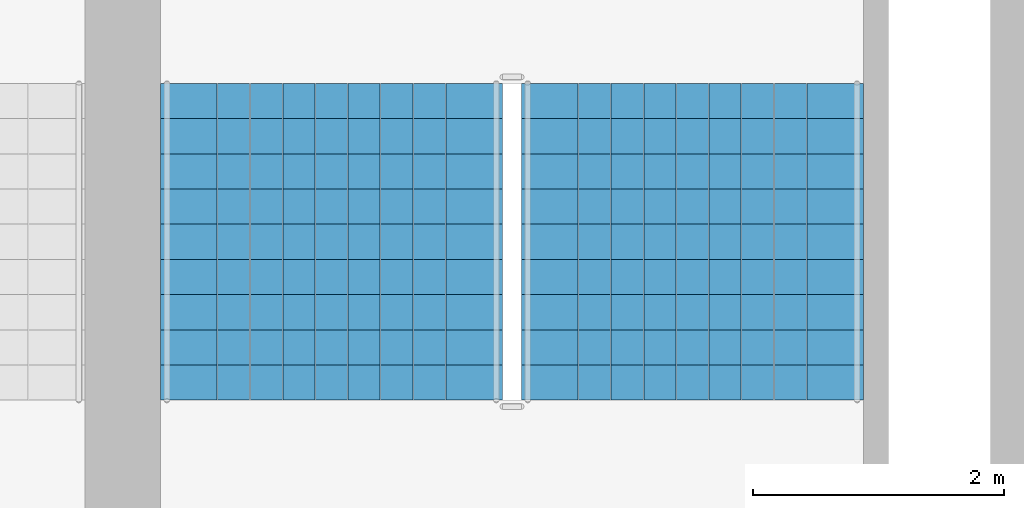
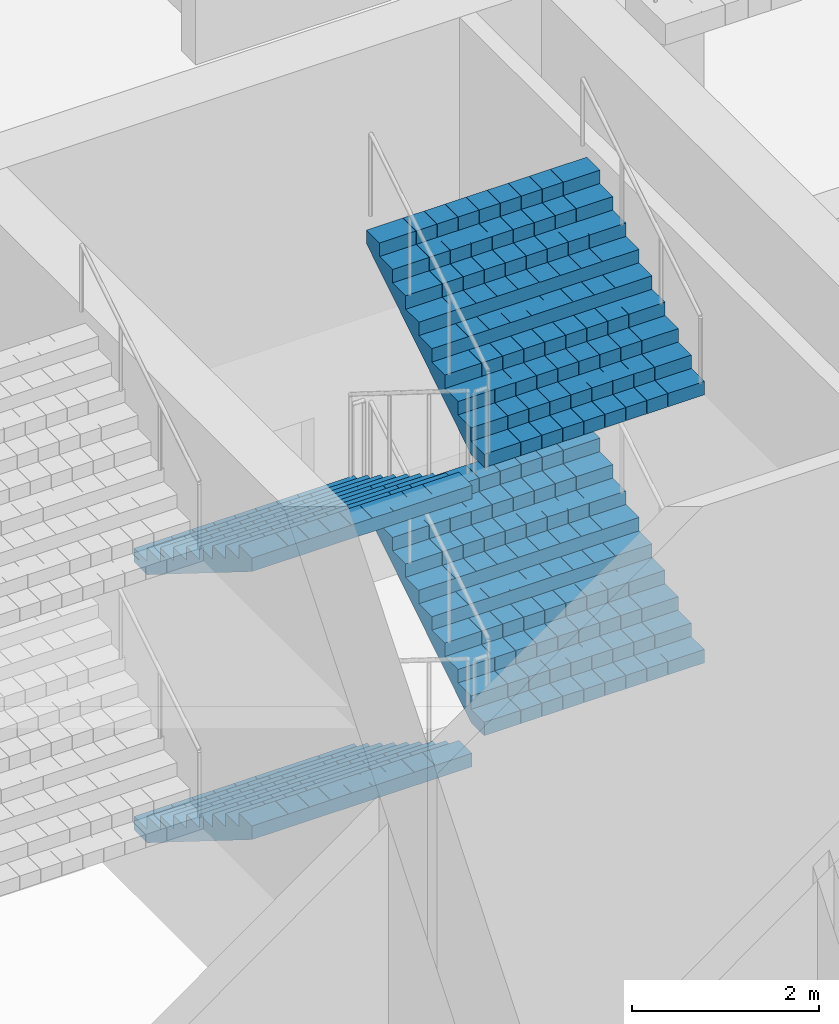
# One storey, part 42 of 62: 4 stair flights, 1 element without a shape of its own.
"""IFC4 building model written with IfcOpenShell, lengths in metres."""

from ifc_helpers import new_model, si_unit, direction, frame, origin, place, context, subcontext, project, spatial, polyline, outline, extrude, material, type_object, element, aggregate, save


model = new_model("IFC4")

# Units and contexts
model_context = context("Model", 3, precision=1e-05, world=origin(), true_north=direction((0.0, 1.0)))
body_context = subcontext(model_context, "Body", "Model", "MODEL_VIEW")
ifc_project = project(units=[si_unit("LENGTHUNIT", "METRE"), si_unit("AREAUNIT", "SQUARE_METRE"), si_unit("VOLUMEUNIT", "CUBIC_METRE"), si_unit("PLANEANGLEUNIT", "RADIAN"), si_unit("MASSUNIT", "GRAM", prefix="KILO")], contexts=[model_context])

# Site, building, storey
site_placement = place(None, origin())
site = spatial("IfcSite", under=ifc_project, at=site_placement, CompositionType="ELEMENT")
building_placement = place(site_placement, origin())
building = spatial("IfcBuilding", under=site, at=building_placement, Name="Corbelhall Arena Tower", CompositionType="ELEMENT")
storey_placement = place(building_placement, frame((0.0, 0.0, 12.0)))
storey = spatial("IfcBuildingStorey", under=building, at=storey_placement, Name="L01", CompositionType="ELEMENT", Elevation=12.0)

# Stair, stair flights
ifc_material = material(Name="Reinforced concrete C40/50", Category="concrete")
stair_type = type_object("IfcStairType", Name="AR-EXIT-STAIR", PredefinedType="HALF_TURN_STAIR", material=ifc_material)
stair_placement = place(storey_placement, origin())
stair = element("IfcStair", 1, at=stair_placement, inside=storey, type_object=stair_type, Name="L01 exit stair AS7", PredefinedType="HALF_TURN_STAIR")
stair_flight_type = type_object("IfcStairFlightType", Name="AR-EXIT-FLIGHT", PredefinedType="STRAIGHT", material=ifc_material)
stair_flight_1_placement = place(storey_placement, frame((-38.840087890625, -27.320068359375, 0.0), z_axis=(0.0, 0.0, 1.0), x_axis=(0.0, -1.0, 0.0)))
stair_flight_1 = element("IfcStairFlight", 2, at=stair_flight_1_placement, type_object=stair_flight_type, Name="AS7 flight 1", NumberOfRisers=10, NumberOfTreads=9, PredefinedType="STRAIGHT", RiserHeight=0.175, TreadLength=0.28, context=body_context, shape_type="SweptSolid", body=[
    extrude(outline(polyline([(0.0, 0.0), (0.0, 0.175048828125), (0.280029296875, 0.175048828125), (0.280029296875, 0.35009765625), (0.56005859375, 0.35009765625), (0.56005859375, 0.52490234375), (0.840087890625, 0.52490234375), (0.840087890625, 0.699951171875), (1.1201171875, 0.699951171875), (1.1201171875, 0.875), (1.39990234375, 0.875), (1.39990234375, 1.050048828125), (1.679931640625, 1.050048828125), (1.679931640625, 1.22509765625), (1.9599609375, 1.22509765625), (1.9599609375, 1.39990234375), (2.239990234375, 1.39990234375), (2.239990234375, 1.574951171875), (2.52001953125, 1.574951171875), (2.52001953125, 1.75), (2.52001953125, 1.398193359375), (0.28271484375, 0.0), (0.0, 0.0)])), frame((0.0, 1.35986328125, 0.0), z_axis=(0.0, -1.0, 0.0), x_axis=(1.0, 0.0, 0.0)), (0.0, 0.0, 1.0), 0.449951171875),
    extrude(outline(polyline([(0.0, 0.0), (0.0, 0.175048828125), (0.280029296875, 0.175048828125), (0.280029296875, 0.35009765625), (0.56005859375, 0.35009765625), (0.56005859375, 0.52490234375), (0.840087890625, 0.52490234375), (0.840087890625, 0.699951171875), (1.1201171875, 0.699951171875), (1.1201171875, 0.875), (1.39990234375, 0.875), (1.39990234375, 1.050048828125), (1.679931640625, 1.050048828125), (1.679931640625, 1.22509765625), (1.9599609375, 1.22509765625), (1.9599609375, 1.39990234375), (2.239990234375, 1.39990234375), (2.239990234375, 1.574951171875), (2.52001953125, 1.574951171875), (2.52001953125, 1.75), (2.52001953125, 1.398193359375), (0.28271484375, 0.0), (0.0, 0.0)])), frame((0.0, 0.906005859375, 0.0), z_axis=(0.0, -1.0, 0.0), x_axis=(1.0, 0.0, 0.0)), (0.0, 0.0, 1.0), 0.25537109375),
    extrude(outline(polyline([(0.0, 0.0), (0.0, 0.175048828125), (0.280029296875, 0.175048828125), (0.280029296875, 0.35009765625), (0.56005859375, 0.35009765625), (0.56005859375, 0.52490234375), (0.840087890625, 0.52490234375), (0.840087890625, 0.699951171875), (1.1201171875, 0.699951171875), (1.1201171875, 0.875), (1.39990234375, 0.875), (1.39990234375, 1.050048828125), (1.679931640625, 1.050048828125), (1.679931640625, 1.22509765625), (1.9599609375, 1.22509765625), (1.9599609375, 1.39990234375), (2.239990234375, 1.39990234375), (2.239990234375, 1.574951171875), (2.52001953125, 1.574951171875), (2.52001953125, 1.75), (2.52001953125, 1.398193359375), (0.28271484375, 0.0), (0.0, 0.0)])), frame((0.0, 0.646484375, 0.0), z_axis=(0.0, -1.0, 0.0), x_axis=(1.0, 0.0, 0.0)), (0.0, 0.0, 1.0), 0.25537109375),
    extrude(outline(polyline([(0.0, 0.0), (0.0, 0.175048828125), (0.280029296875, 0.175048828125), (0.280029296875, 0.35009765625), (0.56005859375, 0.35009765625), (0.56005859375, 0.52490234375), (0.840087890625, 0.52490234375), (0.840087890625, 0.699951171875), (1.1201171875, 0.699951171875), (1.1201171875, 0.875), (1.39990234375, 0.875), (1.39990234375, 1.050048828125), (1.679931640625, 1.050048828125), (1.679931640625, 1.22509765625), (1.9599609375, 1.22509765625), (1.9599609375, 1.39990234375), (2.239990234375, 1.39990234375), (2.239990234375, 1.574951171875), (2.52001953125, 1.574951171875), (2.52001953125, 1.75), (2.52001953125, 1.398193359375), (0.28271484375, 0.0), (0.0, 0.0)])), frame((0.0, 0.38720703125, 0.0), z_axis=(0.0, -1.0, 0.0), x_axis=(1.0, 0.0, 0.0)), (0.0, 0.0, 1.0), 0.25537109375),
    extrude(outline(polyline([(0.0, 0.0), (0.0, 0.175048828125), (0.280029296875, 0.175048828125), (0.280029296875, 0.35009765625), (0.56005859375, 0.35009765625), (0.56005859375, 0.52490234375), (0.840087890625, 0.52490234375), (0.840087890625, 0.699951171875), (1.1201171875, 0.699951171875), (1.1201171875, 0.875), (1.39990234375, 0.875), (1.39990234375, 1.050048828125), (1.679931640625, 1.050048828125), (1.679931640625, 1.22509765625), (1.9599609375, 1.22509765625), (1.9599609375, 1.39990234375), (2.239990234375, 1.39990234375), (2.239990234375, 1.574951171875), (2.52001953125, 1.574951171875), (2.52001953125, 1.75), (2.52001953125, 1.398193359375), (0.28271484375, 0.0), (0.0, 0.0)])), frame((0.0, 0.127685546875, 0.0), z_axis=(0.0, -1.0, 0.0), x_axis=(1.0, 0.0, 0.0)), (0.0, 0.0, 1.0), 0.25537109375),
    extrude(outline(polyline([(0.0, 0.0), (0.0, 0.175048828125), (0.280029296875, 0.175048828125), (0.280029296875, 0.35009765625), (0.56005859375, 0.35009765625), (0.56005859375, 0.52490234375), (0.840087890625, 0.52490234375), (0.840087890625, 0.699951171875), (1.1201171875, 0.699951171875), (1.1201171875, 0.875), (1.39990234375, 0.875), (1.39990234375, 1.050048828125), (1.679931640625, 1.050048828125), (1.679931640625, 1.22509765625), (1.9599609375, 1.22509765625), (1.9599609375, 1.39990234375), (2.239990234375, 1.39990234375), (2.239990234375, 1.574951171875), (2.52001953125, 1.574951171875), (2.52001953125, 1.75), (2.52001953125, 1.398193359375), (0.28271484375, 0.0), (0.0, 0.0)])), frame((0.0, -0.131591796875, 0.0), z_axis=(0.0, -1.0, 0.0), x_axis=(1.0, 0.0, 0.0)), (0.0, 0.0, 1.0), 0.25537109375),
    extrude(outline(polyline([(0.0, 0.0), (0.0, 0.175048828125), (0.280029296875, 0.175048828125), (0.280029296875, 0.35009765625), (0.56005859375, 0.35009765625), (0.56005859375, 0.52490234375), (0.840087890625, 0.52490234375), (0.840087890625, 0.699951171875), (1.1201171875, 0.699951171875), (1.1201171875, 0.875), (1.39990234375, 0.875), (1.39990234375, 1.050048828125), (1.679931640625, 1.050048828125), (1.679931640625, 1.22509765625), (1.9599609375, 1.22509765625), (1.9599609375, 1.39990234375), (2.239990234375, 1.39990234375), (2.239990234375, 1.574951171875), (2.52001953125, 1.574951171875), (2.52001953125, 1.75), (2.52001953125, 1.398193359375), (0.28271484375, 0.0), (0.0, 0.0)])), frame((0.0, -0.39111328125, 0.0), z_axis=(0.0, -1.0, 0.0), x_axis=(1.0, 0.0, 0.0)), (0.0, 0.0, 1.0), 0.25537109375),
    extrude(outline(polyline([(0.0, 0.0), (0.0, 0.175048828125), (0.280029296875, 0.175048828125), (0.280029296875, 0.35009765625), (0.56005859375, 0.35009765625), (0.56005859375, 0.52490234375), (0.840087890625, 0.52490234375), (0.840087890625, 0.699951171875), (1.1201171875, 0.699951171875), (1.1201171875, 0.875), (1.39990234375, 0.875), (1.39990234375, 1.050048828125), (1.679931640625, 1.050048828125), (1.679931640625, 1.22509765625), (1.9599609375, 1.22509765625), (1.9599609375, 1.39990234375), (2.239990234375, 1.39990234375), (2.239990234375, 1.574951171875), (2.52001953125, 1.574951171875), (2.52001953125, 1.75), (2.52001953125, 1.398193359375), (0.28271484375, 0.0), (0.0, 0.0)])), frame((0.0, -0.650634765625, 0.0), z_axis=(0.0, -1.0, 0.0), x_axis=(1.0, 0.0, 0.0)), (0.0, 0.0, 1.0), 0.25537109375),
    extrude(outline(polyline([(0.0, 0.0), (0.0, 0.175048828125), (0.280029296875, 0.175048828125), (0.280029296875, 0.35009765625), (0.56005859375, 0.35009765625), (0.56005859375, 0.52490234375), (0.840087890625, 0.52490234375), (0.840087890625, 0.699951171875), (1.1201171875, 0.699951171875), (1.1201171875, 0.875), (1.39990234375, 0.875), (1.39990234375, 1.050048828125), (1.679931640625, 1.050048828125), (1.679931640625, 1.22509765625), (1.9599609375, 1.22509765625), (1.9599609375, 1.39990234375), (2.239990234375, 1.39990234375), (2.239990234375, 1.574951171875), (2.52001953125, 1.574951171875), (2.52001953125, 1.75), (2.52001953125, 1.398193359375), (0.28271484375, 0.0), (0.0, 0.0)])), frame((0.0, -0.909912109375, 0.0), z_axis=(0.0, -1.0, 0.0), x_axis=(1.0, 0.0, 0.0)), (0.0, 0.0, 1.0), 0.449951171875),
])
stair_flight_2_placement = place(storey_placement, frame((-35.969970703125, -29.840087890625, 1.75), z_axis=(0.0, 0.0, 1.0), x_axis=(0.0, 1.0, 0.0)))
stair_flight_2 = element("IfcStairFlight", 3, at=stair_flight_2_placement, type_object=stair_flight_type, Name="AS7 flight 2", NumberOfRisers=10, NumberOfTreads=9, PredefinedType="STRAIGHT", RiserHeight=0.175, TreadLength=0.28, context=body_context, shape_type="SweptSolid", body=[
    extrude(outline(polyline([(0.0, 0.0), (0.0, 0.175048828125), (0.280029296875, 0.175048828125), (0.280029296875, 0.35009765625), (0.56005859375, 0.35009765625), (0.56005859375, 0.52490234375), (0.840087890625, 0.52490234375), (0.840087890625, 0.699951171875), (1.1201171875, 0.699951171875), (1.1201171875, 0.875), (1.39990234375, 0.875), (1.39990234375, 1.050048828125), (1.679931640625, 1.050048828125), (1.679931640625, 1.22509765625), (1.9599609375, 1.22509765625), (1.9599609375, 1.39990234375), (2.239990234375, 1.39990234375), (2.239990234375, 1.574951171875), (2.52001953125, 1.574951171875), (2.52001953125, 1.75), (2.52001953125, 1.398193359375), (0.28271484375, 0.0), (0.0, 0.0)])), frame((0.0, 1.35986328125, 0.0), z_axis=(0.0, -1.0, 0.0), x_axis=(1.0, 0.0, 0.0)), (0.0, 0.0, 1.0), 0.449951171875),
    extrude(outline(polyline([(0.0, 0.0), (0.0, 0.175048828125), (0.280029296875, 0.175048828125), (0.280029296875, 0.35009765625), (0.56005859375, 0.35009765625), (0.56005859375, 0.52490234375), (0.840087890625, 0.52490234375), (0.840087890625, 0.699951171875), (1.1201171875, 0.699951171875), (1.1201171875, 0.875), (1.39990234375, 0.875), (1.39990234375, 1.050048828125), (1.679931640625, 1.050048828125), (1.679931640625, 1.22509765625), (1.9599609375, 1.22509765625), (1.9599609375, 1.39990234375), (2.239990234375, 1.39990234375), (2.239990234375, 1.574951171875), (2.52001953125, 1.574951171875), (2.52001953125, 1.75), (2.52001953125, 1.398193359375), (0.28271484375, 0.0), (0.0, 0.0)])), frame((0.0, 0.906005859375, 0.0), z_axis=(0.0, -1.0, 0.0), x_axis=(1.0, 0.0, 0.0)), (0.0, 0.0, 1.0), 0.25537109375),
    extrude(outline(polyline([(0.0, 0.0), (0.0, 0.175048828125), (0.280029296875, 0.175048828125), (0.280029296875, 0.35009765625), (0.56005859375, 0.35009765625), (0.56005859375, 0.52490234375), (0.840087890625, 0.52490234375), (0.840087890625, 0.699951171875), (1.1201171875, 0.699951171875), (1.1201171875, 0.875), (1.39990234375, 0.875), (1.39990234375, 1.050048828125), (1.679931640625, 1.050048828125), (1.679931640625, 1.22509765625), (1.9599609375, 1.22509765625), (1.9599609375, 1.39990234375), (2.239990234375, 1.39990234375), (2.239990234375, 1.574951171875), (2.52001953125, 1.574951171875), (2.52001953125, 1.75), (2.52001953125, 1.398193359375), (0.28271484375, 0.0), (0.0, 0.0)])), frame((0.0, 0.646484375, 0.0), z_axis=(0.0, -1.0, 0.0), x_axis=(1.0, 0.0, 0.0)), (0.0, 0.0, 1.0), 0.25537109375),
    extrude(outline(polyline([(0.0, 0.0), (0.0, 0.175048828125), (0.280029296875, 0.175048828125), (0.280029296875, 0.35009765625), (0.56005859375, 0.35009765625), (0.56005859375, 0.52490234375), (0.840087890625, 0.52490234375), (0.840087890625, 0.699951171875), (1.1201171875, 0.699951171875), (1.1201171875, 0.875), (1.39990234375, 0.875), (1.39990234375, 1.050048828125), (1.679931640625, 1.050048828125), (1.679931640625, 1.22509765625), (1.9599609375, 1.22509765625), (1.9599609375, 1.39990234375), (2.239990234375, 1.39990234375), (2.239990234375, 1.574951171875), (2.52001953125, 1.574951171875), (2.52001953125, 1.75), (2.52001953125, 1.398193359375), (0.28271484375, 0.0), (0.0, 0.0)])), frame((0.0, 0.38720703125, 0.0), z_axis=(0.0, -1.0, 0.0), x_axis=(1.0, 0.0, 0.0)), (0.0, 0.0, 1.0), 0.25537109375),
    extrude(outline(polyline([(0.0, 0.0), (0.0, 0.175048828125), (0.280029296875, 0.175048828125), (0.280029296875, 0.35009765625), (0.56005859375, 0.35009765625), (0.56005859375, 0.52490234375), (0.840087890625, 0.52490234375), (0.840087890625, 0.699951171875), (1.1201171875, 0.699951171875), (1.1201171875, 0.875), (1.39990234375, 0.875), (1.39990234375, 1.050048828125), (1.679931640625, 1.050048828125), (1.679931640625, 1.22509765625), (1.9599609375, 1.22509765625), (1.9599609375, 1.39990234375), (2.239990234375, 1.39990234375), (2.239990234375, 1.574951171875), (2.52001953125, 1.574951171875), (2.52001953125, 1.75), (2.52001953125, 1.398193359375), (0.28271484375, 0.0), (0.0, 0.0)])), frame((0.0, 0.127685546875, 0.0), z_axis=(0.0, -1.0, 0.0), x_axis=(1.0, 0.0, 0.0)), (0.0, 0.0, 1.0), 0.25537109375),
    extrude(outline(polyline([(0.0, 0.0), (0.0, 0.175048828125), (0.280029296875, 0.175048828125), (0.280029296875, 0.35009765625), (0.56005859375, 0.35009765625), (0.56005859375, 0.52490234375), (0.840087890625, 0.52490234375), (0.840087890625, 0.699951171875), (1.1201171875, 0.699951171875), (1.1201171875, 0.875), (1.39990234375, 0.875), (1.39990234375, 1.050048828125), (1.679931640625, 1.050048828125), (1.679931640625, 1.22509765625), (1.9599609375, 1.22509765625), (1.9599609375, 1.39990234375), (2.239990234375, 1.39990234375), (2.239990234375, 1.574951171875), (2.52001953125, 1.574951171875), (2.52001953125, 1.75), (2.52001953125, 1.398193359375), (0.28271484375, 0.0), (0.0, 0.0)])), frame((0.0, -0.131591796875, 0.0), z_axis=(0.0, -1.0, 0.0), x_axis=(1.0, 0.0, 0.0)), (0.0, 0.0, 1.0), 0.25537109375),
    extrude(outline(polyline([(0.0, 0.0), (0.0, 0.175048828125), (0.280029296875, 0.175048828125), (0.280029296875, 0.35009765625), (0.56005859375, 0.35009765625), (0.56005859375, 0.52490234375), (0.840087890625, 0.52490234375), (0.840087890625, 0.699951171875), (1.1201171875, 0.699951171875), (1.1201171875, 0.875), (1.39990234375, 0.875), (1.39990234375, 1.050048828125), (1.679931640625, 1.050048828125), (1.679931640625, 1.22509765625), (1.9599609375, 1.22509765625), (1.9599609375, 1.39990234375), (2.239990234375, 1.39990234375), (2.239990234375, 1.574951171875), (2.52001953125, 1.574951171875), (2.52001953125, 1.75), (2.52001953125, 1.398193359375), (0.28271484375, 0.0), (0.0, 0.0)])), frame((0.0, -0.39111328125, 0.0), z_axis=(0.0, -1.0, 0.0), x_axis=(1.0, 0.0, 0.0)), (0.0, 0.0, 1.0), 0.25537109375),
    extrude(outline(polyline([(0.0, 0.0), (0.0, 0.175048828125), (0.280029296875, 0.175048828125), (0.280029296875, 0.35009765625), (0.56005859375, 0.35009765625), (0.56005859375, 0.52490234375), (0.840087890625, 0.52490234375), (0.840087890625, 0.699951171875), (1.1201171875, 0.699951171875), (1.1201171875, 0.875), (1.39990234375, 0.875), (1.39990234375, 1.050048828125), (1.679931640625, 1.050048828125), (1.679931640625, 1.22509765625), (1.9599609375, 1.22509765625), (1.9599609375, 1.39990234375), (2.239990234375, 1.39990234375), (2.239990234375, 1.574951171875), (2.52001953125, 1.574951171875), (2.52001953125, 1.75), (2.52001953125, 1.398193359375), (0.28271484375, 0.0), (0.0, 0.0)])), frame((0.0, -0.650634765625, 0.0), z_axis=(0.0, -1.0, 0.0), x_axis=(1.0, 0.0, 0.0)), (0.0, 0.0, 1.0), 0.25537109375),
    extrude(outline(polyline([(0.0, 0.0), (0.0, 0.175048828125), (0.280029296875, 0.175048828125), (0.280029296875, 0.35009765625), (0.56005859375, 0.35009765625), (0.56005859375, 0.52490234375), (0.840087890625, 0.52490234375), (0.840087890625, 0.699951171875), (1.1201171875, 0.699951171875), (1.1201171875, 0.875), (1.39990234375, 0.875), (1.39990234375, 1.050048828125), (1.679931640625, 1.050048828125), (1.679931640625, 1.22509765625), (1.9599609375, 1.22509765625), (1.9599609375, 1.39990234375), (2.239990234375, 1.39990234375), (2.239990234375, 1.574951171875), (2.52001953125, 1.574951171875), (2.52001953125, 1.75), (2.52001953125, 1.398193359375), (0.28271484375, 0.0), (0.0, 0.0)])), frame((0.0, -0.909912109375, 0.0), z_axis=(0.0, -1.0, 0.0), x_axis=(1.0, 0.0, 0.0)), (0.0, 0.0, 1.0), 0.449951171875),
])
stair_flight_3_placement = place(storey_placement, frame((-38.840087890625, -27.320068359375, 3.5), z_axis=(0.0, 0.0, 1.0), x_axis=(0.0, -1.0, 0.0)))
stair_flight_3 = element("IfcStairFlight", 4, at=stair_flight_3_placement, type_object=stair_flight_type, Name="AS7 flight 3", NumberOfRisers=10, NumberOfTreads=9, PredefinedType="STRAIGHT", RiserHeight=0.175, TreadLength=0.28, context=body_context, shape_type="SweptSolid", body=[
    extrude(outline(polyline([(0.0, 0.0), (0.0, 0.175048828125), (0.280029296875, 0.175048828125), (0.280029296875, 0.35009765625), (0.56005859375, 0.35009765625), (0.56005859375, 0.52490234375), (0.840087890625, 0.52490234375), (0.840087890625, 0.699951171875), (1.1201171875, 0.699951171875), (1.1201171875, 0.875), (1.39990234375, 0.875), (1.39990234375, 1.050048828125), (1.679931640625, 1.050048828125), (1.679931640625, 1.22509765625), (1.9599609375, 1.22509765625), (1.9599609375, 1.39990234375), (2.239990234375, 1.39990234375), (2.239990234375, 1.574951171875), (2.52001953125, 1.574951171875), (2.52001953125, 1.75), (2.52001953125, 1.398193359375), (0.28271484375, 0.0), (0.0, 0.0)])), frame((0.0, 1.35986328125, 0.0), z_axis=(0.0, -1.0, 0.0), x_axis=(1.0, 0.0, 0.0)), (0.0, 0.0, 1.0), 0.449951171875),
    extrude(outline(polyline([(0.0, 0.0), (0.0, 0.175048828125), (0.280029296875, 0.175048828125), (0.280029296875, 0.35009765625), (0.56005859375, 0.35009765625), (0.56005859375, 0.52490234375), (0.840087890625, 0.52490234375), (0.840087890625, 0.699951171875), (1.1201171875, 0.699951171875), (1.1201171875, 0.875), (1.39990234375, 0.875), (1.39990234375, 1.050048828125), (1.679931640625, 1.050048828125), (1.679931640625, 1.22509765625), (1.9599609375, 1.22509765625), (1.9599609375, 1.39990234375), (2.239990234375, 1.39990234375), (2.239990234375, 1.574951171875), (2.52001953125, 1.574951171875), (2.52001953125, 1.75), (2.52001953125, 1.398193359375), (0.28271484375, 0.0), (0.0, 0.0)])), frame((0.0, 0.906005859375, 0.0), z_axis=(0.0, -1.0, 0.0), x_axis=(1.0, 0.0, 0.0)), (0.0, 0.0, 1.0), 0.25537109375),
    extrude(outline(polyline([(0.0, 0.0), (0.0, 0.175048828125), (0.280029296875, 0.175048828125), (0.280029296875, 0.35009765625), (0.56005859375, 0.35009765625), (0.56005859375, 0.52490234375), (0.840087890625, 0.52490234375), (0.840087890625, 0.699951171875), (1.1201171875, 0.699951171875), (1.1201171875, 0.875), (1.39990234375, 0.875), (1.39990234375, 1.050048828125), (1.679931640625, 1.050048828125), (1.679931640625, 1.22509765625), (1.9599609375, 1.22509765625), (1.9599609375, 1.39990234375), (2.239990234375, 1.39990234375), (2.239990234375, 1.574951171875), (2.52001953125, 1.574951171875), (2.52001953125, 1.75), (2.52001953125, 1.398193359375), (0.28271484375, 0.0), (0.0, 0.0)])), frame((0.0, 0.646484375, 0.0), z_axis=(0.0, -1.0, 0.0), x_axis=(1.0, 0.0, 0.0)), (0.0, 0.0, 1.0), 0.25537109375),
    extrude(outline(polyline([(0.0, 0.0), (0.0, 0.175048828125), (0.280029296875, 0.175048828125), (0.280029296875, 0.35009765625), (0.56005859375, 0.35009765625), (0.56005859375, 0.52490234375), (0.840087890625, 0.52490234375), (0.840087890625, 0.699951171875), (1.1201171875, 0.699951171875), (1.1201171875, 0.875), (1.39990234375, 0.875), (1.39990234375, 1.050048828125), (1.679931640625, 1.050048828125), (1.679931640625, 1.22509765625), (1.9599609375, 1.22509765625), (1.9599609375, 1.39990234375), (2.239990234375, 1.39990234375), (2.239990234375, 1.574951171875), (2.52001953125, 1.574951171875), (2.52001953125, 1.75), (2.52001953125, 1.398193359375), (0.28271484375, 0.0), (0.0, 0.0)])), frame((0.0, 0.38720703125, 0.0), z_axis=(0.0, -1.0, 0.0), x_axis=(1.0, 0.0, 0.0)), (0.0, 0.0, 1.0), 0.25537109375),
    extrude(outline(polyline([(0.0, 0.0), (0.0, 0.175048828125), (0.280029296875, 0.175048828125), (0.280029296875, 0.35009765625), (0.56005859375, 0.35009765625), (0.56005859375, 0.52490234375), (0.840087890625, 0.52490234375), (0.840087890625, 0.699951171875), (1.1201171875, 0.699951171875), (1.1201171875, 0.875), (1.39990234375, 0.875), (1.39990234375, 1.050048828125), (1.679931640625, 1.050048828125), (1.679931640625, 1.22509765625), (1.9599609375, 1.22509765625), (1.9599609375, 1.39990234375), (2.239990234375, 1.39990234375), (2.239990234375, 1.574951171875), (2.52001953125, 1.574951171875), (2.52001953125, 1.75), (2.52001953125, 1.398193359375), (0.28271484375, 0.0), (0.0, 0.0)])), frame((0.0, 0.127685546875, 0.0), z_axis=(0.0, -1.0, 0.0), x_axis=(1.0, 0.0, 0.0)), (0.0, 0.0, 1.0), 0.25537109375),
    extrude(outline(polyline([(0.0, 0.0), (0.0, 0.175048828125), (0.280029296875, 0.175048828125), (0.280029296875, 0.35009765625), (0.56005859375, 0.35009765625), (0.56005859375, 0.52490234375), (0.840087890625, 0.52490234375), (0.840087890625, 0.699951171875), (1.1201171875, 0.699951171875), (1.1201171875, 0.875), (1.39990234375, 0.875), (1.39990234375, 1.050048828125), (1.679931640625, 1.050048828125), (1.679931640625, 1.22509765625), (1.9599609375, 1.22509765625), (1.9599609375, 1.39990234375), (2.239990234375, 1.39990234375), (2.239990234375, 1.574951171875), (2.52001953125, 1.574951171875), (2.52001953125, 1.75), (2.52001953125, 1.398193359375), (0.28271484375, 0.0), (0.0, 0.0)])), frame((0.0, -0.131591796875, 0.0), z_axis=(0.0, -1.0, 0.0), x_axis=(1.0, 0.0, 0.0)), (0.0, 0.0, 1.0), 0.25537109375),
    extrude(outline(polyline([(0.0, 0.0), (0.0, 0.175048828125), (0.280029296875, 0.175048828125), (0.280029296875, 0.35009765625), (0.56005859375, 0.35009765625), (0.56005859375, 0.52490234375), (0.840087890625, 0.52490234375), (0.840087890625, 0.699951171875), (1.1201171875, 0.699951171875), (1.1201171875, 0.875), (1.39990234375, 0.875), (1.39990234375, 1.050048828125), (1.679931640625, 1.050048828125), (1.679931640625, 1.22509765625), (1.9599609375, 1.22509765625), (1.9599609375, 1.39990234375), (2.239990234375, 1.39990234375), (2.239990234375, 1.574951171875), (2.52001953125, 1.574951171875), (2.52001953125, 1.75), (2.52001953125, 1.398193359375), (0.28271484375, 0.0), (0.0, 0.0)])), frame((0.0, -0.39111328125, 0.0), z_axis=(0.0, -1.0, 0.0), x_axis=(1.0, 0.0, 0.0)), (0.0, 0.0, 1.0), 0.25537109375),
    extrude(outline(polyline([(0.0, 0.0), (0.0, 0.175048828125), (0.280029296875, 0.175048828125), (0.280029296875, 0.35009765625), (0.56005859375, 0.35009765625), (0.56005859375, 0.52490234375), (0.840087890625, 0.52490234375), (0.840087890625, 0.699951171875), (1.1201171875, 0.699951171875), (1.1201171875, 0.875), (1.39990234375, 0.875), (1.39990234375, 1.050048828125), (1.679931640625, 1.050048828125), (1.679931640625, 1.22509765625), (1.9599609375, 1.22509765625), (1.9599609375, 1.39990234375), (2.239990234375, 1.39990234375), (2.239990234375, 1.574951171875), (2.52001953125, 1.574951171875), (2.52001953125, 1.75), (2.52001953125, 1.398193359375), (0.28271484375, 0.0), (0.0, 0.0)])), frame((0.0, -0.650634765625, 0.0), z_axis=(0.0, -1.0, 0.0), x_axis=(1.0, 0.0, 0.0)), (0.0, 0.0, 1.0), 0.25537109375),
    extrude(outline(polyline([(0.0, 0.0), (0.0, 0.175048828125), (0.280029296875, 0.175048828125), (0.280029296875, 0.35009765625), (0.56005859375, 0.35009765625), (0.56005859375, 0.52490234375), (0.840087890625, 0.52490234375), (0.840087890625, 0.699951171875), (1.1201171875, 0.699951171875), (1.1201171875, 0.875), (1.39990234375, 0.875), (1.39990234375, 1.050048828125), (1.679931640625, 1.050048828125), (1.679931640625, 1.22509765625), (1.9599609375, 1.22509765625), (1.9599609375, 1.39990234375), (2.239990234375, 1.39990234375), (2.239990234375, 1.574951171875), (2.52001953125, 1.574951171875), (2.52001953125, 1.75), (2.52001953125, 1.398193359375), (0.28271484375, 0.0), (0.0, 0.0)])), frame((0.0, -0.909912109375, 0.0), z_axis=(0.0, -1.0, 0.0), x_axis=(1.0, 0.0, 0.0)), (0.0, 0.0, 1.0), 0.449951171875),
])
stair_flight_4_placement = place(storey_placement, frame((-35.969970703125, -29.840087890625, 5.25), z_axis=(0.0, 0.0, 1.0), x_axis=(0.0, 1.0, 0.0)))
stair_flight_4 = element("IfcStairFlight", 5, at=stair_flight_4_placement, type_object=stair_flight_type, Name="AS7 flight 4", NumberOfRisers=10, NumberOfTreads=9, PredefinedType="STRAIGHT", RiserHeight=0.175, TreadLength=0.28, context=body_context, shape_type="SweptSolid", body=[
    extrude(outline(polyline([(0.0, 0.0), (0.0, 0.175048828125), (0.280029296875, 0.175048828125), (0.280029296875, 0.35009765625), (0.56005859375, 0.35009765625), (0.56005859375, 0.52490234375), (0.840087890625, 0.52490234375), (0.840087890625, 0.699951171875), (1.1201171875, 0.699951171875), (1.1201171875, 0.875), (1.39990234375, 0.875), (1.39990234375, 1.050048828125), (1.679931640625, 1.050048828125), (1.679931640625, 1.22509765625), (1.9599609375, 1.22509765625), (1.9599609375, 1.39990234375), (2.239990234375, 1.39990234375), (2.239990234375, 1.574951171875), (2.52001953125, 1.574951171875), (2.52001953125, 1.75), (2.52001953125, 1.398193359375), (0.28271484375, 0.0), (0.0, 0.0)])), frame((0.0, 1.35986328125, 0.0), z_axis=(0.0, -1.0, 0.0), x_axis=(1.0, 0.0, 0.0)), (0.0, 0.0, 1.0), 0.449951171875),
    extrude(outline(polyline([(0.0, 0.0), (0.0, 0.175048828125), (0.280029296875, 0.175048828125), (0.280029296875, 0.35009765625), (0.56005859375, 0.35009765625), (0.56005859375, 0.52490234375), (0.840087890625, 0.52490234375), (0.840087890625, 0.699951171875), (1.1201171875, 0.699951171875), (1.1201171875, 0.875), (1.39990234375, 0.875), (1.39990234375, 1.050048828125), (1.679931640625, 1.050048828125), (1.679931640625, 1.22509765625), (1.9599609375, 1.22509765625), (1.9599609375, 1.39990234375), (2.239990234375, 1.39990234375), (2.239990234375, 1.574951171875), (2.52001953125, 1.574951171875), (2.52001953125, 1.75), (2.52001953125, 1.398193359375), (0.28271484375, 0.0), (0.0, 0.0)])), frame((0.0, 0.906005859375, 0.0), z_axis=(0.0, -1.0, 0.0), x_axis=(1.0, 0.0, 0.0)), (0.0, 0.0, 1.0), 0.25537109375),
    extrude(outline(polyline([(0.0, 0.0), (0.0, 0.175048828125), (0.280029296875, 0.175048828125), (0.280029296875, 0.35009765625), (0.56005859375, 0.35009765625), (0.56005859375, 0.52490234375), (0.840087890625, 0.52490234375), (0.840087890625, 0.699951171875), (1.1201171875, 0.699951171875), (1.1201171875, 0.875), (1.39990234375, 0.875), (1.39990234375, 1.050048828125), (1.679931640625, 1.050048828125), (1.679931640625, 1.22509765625), (1.9599609375, 1.22509765625), (1.9599609375, 1.39990234375), (2.239990234375, 1.39990234375), (2.239990234375, 1.574951171875), (2.52001953125, 1.574951171875), (2.52001953125, 1.75), (2.52001953125, 1.398193359375), (0.28271484375, 0.0), (0.0, 0.0)])), frame((0.0, 0.646484375, 0.0), z_axis=(0.0, -1.0, 0.0), x_axis=(1.0, 0.0, 0.0)), (0.0, 0.0, 1.0), 0.25537109375),
    extrude(outline(polyline([(0.0, 0.0), (0.0, 0.175048828125), (0.280029296875, 0.175048828125), (0.280029296875, 0.35009765625), (0.56005859375, 0.35009765625), (0.56005859375, 0.52490234375), (0.840087890625, 0.52490234375), (0.840087890625, 0.699951171875), (1.1201171875, 0.699951171875), (1.1201171875, 0.875), (1.39990234375, 0.875), (1.39990234375, 1.050048828125), (1.679931640625, 1.050048828125), (1.679931640625, 1.22509765625), (1.9599609375, 1.22509765625), (1.9599609375, 1.39990234375), (2.239990234375, 1.39990234375), (2.239990234375, 1.574951171875), (2.52001953125, 1.574951171875), (2.52001953125, 1.75), (2.52001953125, 1.398193359375), (0.28271484375, 0.0), (0.0, 0.0)])), frame((0.0, 0.38720703125, 0.0), z_axis=(0.0, -1.0, 0.0), x_axis=(1.0, 0.0, 0.0)), (0.0, 0.0, 1.0), 0.25537109375),
    extrude(outline(polyline([(0.0, 0.0), (0.0, 0.175048828125), (0.280029296875, 0.175048828125), (0.280029296875, 0.35009765625), (0.56005859375, 0.35009765625), (0.56005859375, 0.52490234375), (0.840087890625, 0.52490234375), (0.840087890625, 0.699951171875), (1.1201171875, 0.699951171875), (1.1201171875, 0.875), (1.39990234375, 0.875), (1.39990234375, 1.050048828125), (1.679931640625, 1.050048828125), (1.679931640625, 1.22509765625), (1.9599609375, 1.22509765625), (1.9599609375, 1.39990234375), (2.239990234375, 1.39990234375), (2.239990234375, 1.574951171875), (2.52001953125, 1.574951171875), (2.52001953125, 1.75), (2.52001953125, 1.398193359375), (0.28271484375, 0.0), (0.0, 0.0)])), frame((0.0, 0.127685546875, 0.0), z_axis=(0.0, -1.0, 0.0), x_axis=(1.0, 0.0, 0.0)), (0.0, 0.0, 1.0), 0.25537109375),
    extrude(outline(polyline([(0.0, 0.0), (0.0, 0.175048828125), (0.280029296875, 0.175048828125), (0.280029296875, 0.35009765625), (0.56005859375, 0.35009765625), (0.56005859375, 0.52490234375), (0.840087890625, 0.52490234375), (0.840087890625, 0.699951171875), (1.1201171875, 0.699951171875), (1.1201171875, 0.875), (1.39990234375, 0.875), (1.39990234375, 1.050048828125), (1.679931640625, 1.050048828125), (1.679931640625, 1.22509765625), (1.9599609375, 1.22509765625), (1.9599609375, 1.39990234375), (2.239990234375, 1.39990234375), (2.239990234375, 1.574951171875), (2.52001953125, 1.574951171875), (2.52001953125, 1.75), (2.52001953125, 1.398193359375), (0.28271484375, 0.0), (0.0, 0.0)])), frame((0.0, -0.131591796875, 0.0), z_axis=(0.0, -1.0, 0.0), x_axis=(1.0, 0.0, 0.0)), (0.0, 0.0, 1.0), 0.25537109375),
    extrude(outline(polyline([(0.0, 0.0), (0.0, 0.175048828125), (0.280029296875, 0.175048828125), (0.280029296875, 0.35009765625), (0.56005859375, 0.35009765625), (0.56005859375, 0.52490234375), (0.840087890625, 0.52490234375), (0.840087890625, 0.699951171875), (1.1201171875, 0.699951171875), (1.1201171875, 0.875), (1.39990234375, 0.875), (1.39990234375, 1.050048828125), (1.679931640625, 1.050048828125), (1.679931640625, 1.22509765625), (1.9599609375, 1.22509765625), (1.9599609375, 1.39990234375), (2.239990234375, 1.39990234375), (2.239990234375, 1.574951171875), (2.52001953125, 1.574951171875), (2.52001953125, 1.75), (2.52001953125, 1.398193359375), (0.28271484375, 0.0), (0.0, 0.0)])), frame((0.0, -0.39111328125, 0.0), z_axis=(0.0, -1.0, 0.0), x_axis=(1.0, 0.0, 0.0)), (0.0, 0.0, 1.0), 0.25537109375),
    extrude(outline(polyline([(0.0, 0.0), (0.0, 0.175048828125), (0.280029296875, 0.175048828125), (0.280029296875, 0.35009765625), (0.56005859375, 0.35009765625), (0.56005859375, 0.52490234375), (0.840087890625, 0.52490234375), (0.840087890625, 0.699951171875), (1.1201171875, 0.699951171875), (1.1201171875, 0.875), (1.39990234375, 0.875), (1.39990234375, 1.050048828125), (1.679931640625, 1.050048828125), (1.679931640625, 1.22509765625), (1.9599609375, 1.22509765625), (1.9599609375, 1.39990234375), (2.239990234375, 1.39990234375), (2.239990234375, 1.574951171875), (2.52001953125, 1.574951171875), (2.52001953125, 1.75), (2.52001953125, 1.398193359375), (0.28271484375, 0.0), (0.0, 0.0)])), frame((0.0, -0.650634765625, 0.0), z_axis=(0.0, -1.0, 0.0), x_axis=(1.0, 0.0, 0.0)), (0.0, 0.0, 1.0), 0.25537109375),
    extrude(outline(polyline([(0.0, 0.0), (0.0, 0.175048828125), (0.280029296875, 0.175048828125), (0.280029296875, 0.35009765625), (0.56005859375, 0.35009765625), (0.56005859375, 0.52490234375), (0.840087890625, 0.52490234375), (0.840087890625, 0.699951171875), (1.1201171875, 0.699951171875), (1.1201171875, 0.875), (1.39990234375, 0.875), (1.39990234375, 1.050048828125), (1.679931640625, 1.050048828125), (1.679931640625, 1.22509765625), (1.9599609375, 1.22509765625), (1.9599609375, 1.39990234375), (2.239990234375, 1.39990234375), (2.239990234375, 1.574951171875), (2.52001953125, 1.574951171875), (2.52001953125, 1.75), (2.52001953125, 1.398193359375), (0.28271484375, 0.0), (0.0, 0.0)])), frame((0.0, -0.909912109375, 0.0), z_axis=(0.0, -1.0, 0.0), x_axis=(1.0, 0.0, 0.0)), (0.0, 0.0, 1.0), 0.449951171875),
])
aggregate(stair, [stair_flight_1, stair_flight_2, stair_flight_3, stair_flight_4])

save(model, "model.ifc")
